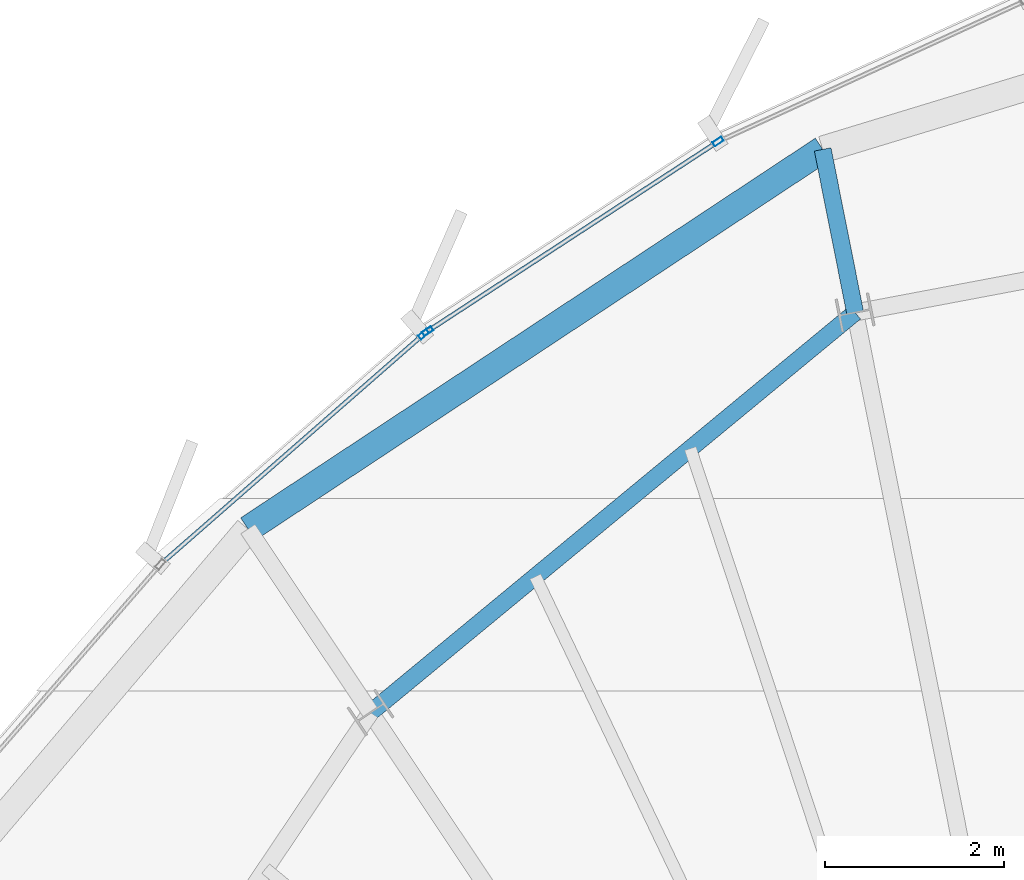
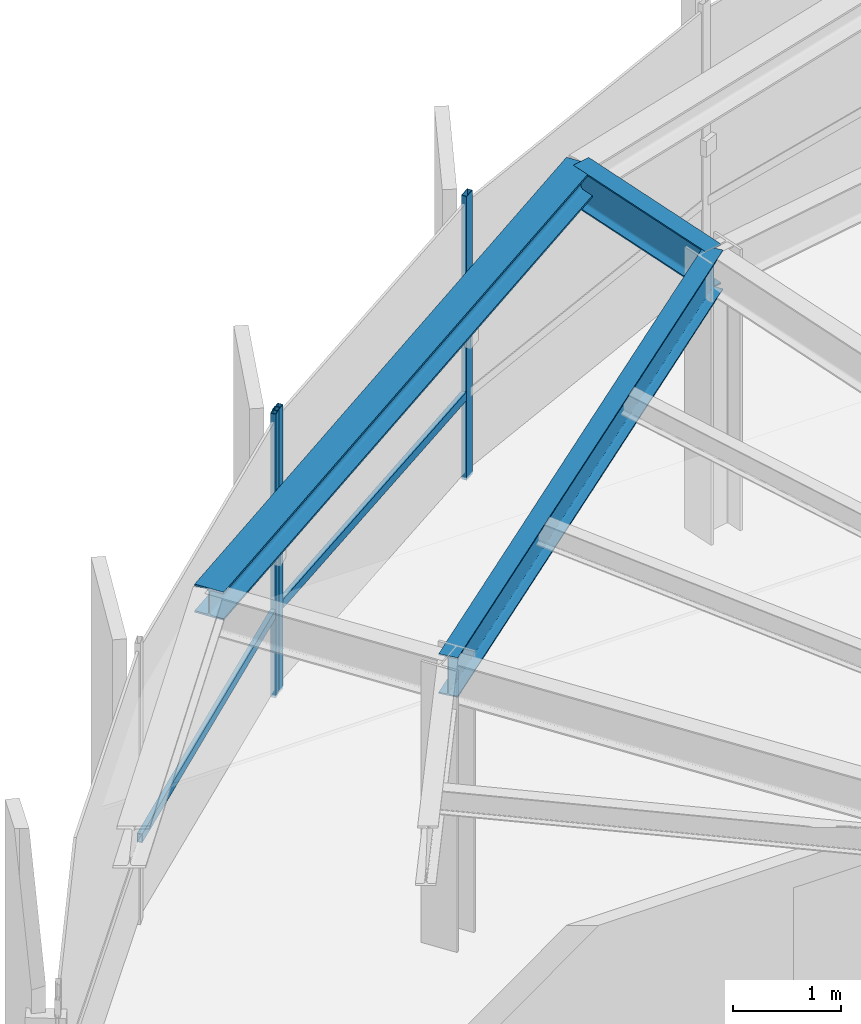
# One storey, part 20 of 32: 5 members, 3 beams, 2 elements without a shape of their own.
"""IFC4 building model written with IfcOpenShell, lengths in metres."""

from ifc_helpers import new_model, si_unit, direction, frame, origin, origin_2d, place, context, subcontext, project, spatial, hollow_rectangle, i_section, extrude, source, transform, mapped, material, layer, layer_set, material_profile, profile_set, type_object, element, aggregate, save


model = new_model("IFC4")

# Units and contexts
model_context = context("Model", 3, precision=1e-05, world=origin(), true_north=direction((0.0, 1.0)))
body_context = subcontext(model_context, "Body", "Model", "MODEL_VIEW")
ifc_project = project(units=[si_unit("LENGTHUNIT", "METRE"), si_unit("AREAUNIT", "SQUARE_METRE"), si_unit("VOLUMEUNIT", "CUBIC_METRE"), si_unit("PLANEANGLEUNIT", "RADIAN"), si_unit("MASSUNIT", "GRAM", prefix="KILO"), si_unit("THERMODYNAMICTEMPERATUREUNIT", "KELVIN")], contexts=[model_context])

# Site, building, storey
site_placement = place(None, origin())
site = spatial("IfcSite", under=ifc_project, at=site_placement, CompositionType="ELEMENT")
building_placement = place(site_placement, origin())
building = spatial("IfcBuilding", under=site, at=building_placement, Name="Kethvar Cultural Tower", CompositionType="ELEMENT")
storey_placement = place(building_placement, frame((0.0, 0.0, 280.14990234375)))
storey = spatial("IfcBuildingStorey", under=building, at=storey_placement, Name="L74", CompositionType="ELEMENT", Elevation=280.14990234375)

# Beams
ifc_material_1 = material(Name="Steel S355J2", Category="steel")
ifc_material_profile_1 = material_profile(ifc_material_1, i_section(OverallWidth=0.18994140625, OverallDepth=0.449951171875, WebThickness=0.009521484375, FlangeThickness=0.0146484375, FilletRadius=0.02099609375, at=origin_2d()), Name="Steel S355J2 — IPE450")
ifc_profile_set_1 = profile_set([ifc_material_profile_1], Name="Steel S355J2 — IPE450")
beam_type_1 = type_object("IfcBeamType", Name="BM-IPE450", PredefinedType="BEAM", material=ifc_profile_set_1)
shared_shape_1 = source(origin(), body_context, "Body", "SweptSolid", [
    extrude(i_section(OverallWidth=0.18994140625, OverallDepth=0.449951171875, WebThickness=0.009521484375, FlangeThickness=0.0146484375, FilletRadius=0.02099609375, at=origin_2d()), origin(), (0.0, 0.0, 1.0), 7.03271484375),
])
beam_1_placement = place(storey_placement, frame((43.23291015625, 45.732421875, 2.983154296875), z_axis=(-0.771161072103, -0.636640087391, 0.0), x_axis=(0.636640087391, -0.771161072103, 0.0)))
element("IfcBeam", 1, at=beam_1_placement, inside=storey, type_object=beam_type_1, Name="L74 Column Ring Tie Beam CR-05", PredefinedType="BEAM", context=body_context, shape_type="MappedRepresentation", body=[
    mapped(shared_shape_1, transform((0.0, 0.0, 0.0), scale=1.0)),
])
shared_shape_2 = source(origin(), body_context, "Body", "SweptSolid", [
    extrude(i_section(OverallWidth=0.18994140625, OverallDepth=0.449951171875, WebThickness=0.009521484375, FlangeThickness=0.0146484375, FilletRadius=0.02099609375, at=origin_2d()), origin(), (0.0, 0.0, 1.0), 1.861328125),
])
beam_2_placement = place(storey_placement, frame((43.23291015625, 45.732421875, 2.983154296875), z_axis=(-0.195031442211, 0.980796990487, 0.0), x_axis=(-0.980796990487, -0.195031442211, 0.0)))
element("IfcBeam", 2, at=beam_2_placement, inside=storey, type_object=beam_type_1, Name="L74 Perimeter Cantilever Beam RC-05", PredefinedType="BEAM", context=body_context, shape_type="MappedRepresentation", body=[
    mapped(shared_shape_2, transform((0.0, 0.0, 0.0), scale=1.0)),
])
ifc_material_profile_2 = material_profile(ifc_material_1, i_section(OverallWidth=0.300048828125, OverallDepth=0.320068359375, WebThickness=0.011474609375, FlangeThickness=0.0205078125, FilletRadius=0.027099609375, at=origin_2d()), Name="Steel S355J2 — HEB320")
ifc_profile_set_2 = profile_set([ifc_material_profile_2], Name="Steel S355J2 — HEB320")
beam_type_2 = type_object("IfcBeamType", Name="BM-SP320", PredefinedType="SPANDREL", material=ifc_profile_set_2)
shared_shape_3 = source(origin(), body_context, "Body", "SweptSolid", [
    extrude(i_section(OverallWidth=0.300048828125, OverallDepth=0.320068359375, WebThickness=0.011474609375, FlangeThickness=0.0205078125, FilletRadius=0.027099609375, at=origin_2d()), origin(), (0.0, 0.0, 1.0), 7.709228515625),
])
beam_3_placement = place(storey_placement, frame((42.869873046875, 47.55810546875, 3.048095703125), z_axis=(-0.834362109358, -0.551216718241, 0.0), x_axis=(0.551216718241, -0.834362109358, 0.0)))
element("IfcBeam", 3, at=beam_3_placement, inside=storey, type_object=beam_type_2, Name="L74 Perimeter Spandrel Beam SP-05", PredefinedType="SPANDREL", context=body_context, shape_type="MappedRepresentation", body=[
    mapped(shared_shape_3, transform((0.0, 0.0, 0.0), scale=1.0)),
])

# Curtain wall, members
ifc_material_2 = material(Name="Aluminium 6063-T6", Category="aluminium")
ifc_layer = layer(ifc_material_2, 0.179931640625, Name="Aluminium 6063-T6", Category="aluminium")
ifc_layer_set = layer_set([ifc_layer], Name="Aluminium 6063-T6 (180 mm)")
curtain_wall_type = type_object("IfcCurtainWallType", Name="CW-SYS-05-Z56", PredefinedType="NOTDEFINED", material=ifc_layer_set)
curtain_wall_1_placement = place(storey_placement, origin())
curtain_wall_1 = element("IfcCurtainWall", 4, at=curtain_wall_1_placement, inside=storey, type_object=curtain_wall_type, Name="L74 Curtain Wall Run 01", PredefinedType="NOTDEFINED")
ifc_material_profile_3 = material_profile(ifc_material_2, hollow_rectangle(XDim=0.054931640625, YDim=0.1201171875, WallThickness=0.00390625, at=origin_2d()), Name="Aluminium 6063-T6 — RHS120x55x4")
ifc_profile_set_3 = profile_set([ifc_material_profile_3], Name="Aluminium 6063-T6 — RHS120x55x4")
member_type_1 = type_object("IfcMemberType", Name="CW-SYS-05-Z56-MUL", PredefinedType="MULLION", material=ifc_profile_set_3)
shared_shape_4 = source(origin(), body_context, "Body", "SweptSolid", [
    extrude(hollow_rectangle(XDim=0.054931640625, YDim=0.1201171875, WallThickness=0.00390625, at=origin_2d()), origin(), (0.0, 0.0, 1.0), 3.210205078125),
])
member_1_placement = place(storey_placement, frame((41.69970703125, 47.646484375, 0.0), z_axis=(0.0, 0.0, 1.0), x_axis=(0.546730508005, -0.837308635819, 0.0)))
member_1 = element("IfcMember", 5, at=member_1_placement, type_object=member_type_1, Name="CW-L74-R01 Mullion 6", PredefinedType="MULLION", context=body_context, shape_type="MappedRepresentation", body=[
    mapped(shared_shape_4, transform((0.0, 0.0, 0.0), scale=1.0)),
])
member_2_placement = place(storey_placement, frame((38.44921875, 45.52392578125, 0.0), z_axis=(0.0, 0.0, 1.0), x_axis=(0.546730508005, -0.837308635819, 0.0)))
member_2 = element("IfcMember", 6, at=member_2_placement, type_object=member_type_1, Name="CW-L74-R01 Mullion 7", PredefinedType="MULLION", context=body_context, shape_type="MappedRepresentation", body=[
    mapped(shared_shape_4, transform((0.0, 0.0, 0.0), scale=1.0)),
])

# Curtain wall, member
curtain_wall_2_placement = place(storey_placement, origin())
curtain_wall_2 = element("IfcCurtainWall", 7, at=curtain_wall_2_placement, inside=storey, type_object=curtain_wall_type, Name="L74 Curtain Wall Run 02", PredefinedType="NOTDEFINED")
member_3_placement = place(storey_placement, frame((38.403564453125, 45.4892578125, 0.0), z_axis=(0.0, 0.0, 1.0), x_axis=(0.658361094489, -0.752702244758, 0.0)))
member_3 = element("IfcMember", 8, at=member_3_placement, type_object=member_type_1, Name="CW-L74-R02 Mullion 1", PredefinedType="MULLION", context=body_context, shape_type="MappedRepresentation", body=[
    mapped(shared_shape_4, transform((0.0, 0.0, 0.0), scale=1.0)),
])

# Member
ifc_material_profile_4 = material_profile(ifc_material_2, hollow_rectangle(XDim=0.050048828125, YDim=0.10009765625, WallThickness=0.00390625, at=origin_2d()), Name="Aluminium 6063-T6 — RHS100x50x4")
ifc_profile_set_4 = profile_set([ifc_material_profile_4], Name="Aluminium 6063-T6 — RHS100x50x4")
member_type_2 = type_object("IfcMemberType", Name="CW-SYS-05-Z56-TRN", PredefinedType="USERDEFINED", material=ifc_profile_set_4)
shared_shape_5 = source(origin(), body_context, "Body", "SweptSolid", [
    extrude(hollow_rectangle(XDim=0.050048828125, YDim=0.10009765625, WallThickness=0.00390625, at=origin_2d()), origin(), (0.0, 0.0, 1.0), 3.838623046875),
])
member_4_placement = place(storey_placement, frame((41.66650390625, 47.624755859375, 0.9501953125), z_axis=(-0.837286547972, -0.546764333681, 0.0), x_axis=(0.546764333681, -0.837286547972, 0.0)))
member_4 = element("IfcMember", 9, at=member_4_placement, type_object=member_type_2, Name="CW-L74-R01 Transom 6", ObjectType="TRANSOM", PredefinedType="USERDEFINED", context=body_context, shape_type="MappedRepresentation", body=[
    mapped(shared_shape_5, transform((0.0, 0.0, 0.0), scale=1.0)),
])

aggregate(curtain_wall_1, [member_1, member_2, member_4])

shared_shape_6 = source(origin(), body_context, "Body", "SweptSolid", [
    extrude(hollow_rectangle(XDim=0.050048828125, YDim=0.10009765625, WallThickness=0.00390625, at=origin_2d()), origin(), (0.0, 0.0, 1.0), 3.8857421875),
])
member_5_placement = place(storey_placement, frame((38.400634765625, 45.48681640625, 0.9501953125), z_axis=(-0.752716796624, -0.658344457014, 0.0), x_axis=(0.658344457014, -0.752716796624, 0.0)))
member_5 = element("IfcMember", 10, at=member_5_placement, type_object=member_type_2, Name="CW-L74-R02 Transom 1", ObjectType="TRANSOM", PredefinedType="USERDEFINED", context=body_context, shape_type="MappedRepresentation", body=[
    mapped(shared_shape_6, transform((0.0, 0.0, 0.0), scale=1.0)),
])

aggregate(curtain_wall_2, [member_3, member_5])

save(model, "model.ifc")
